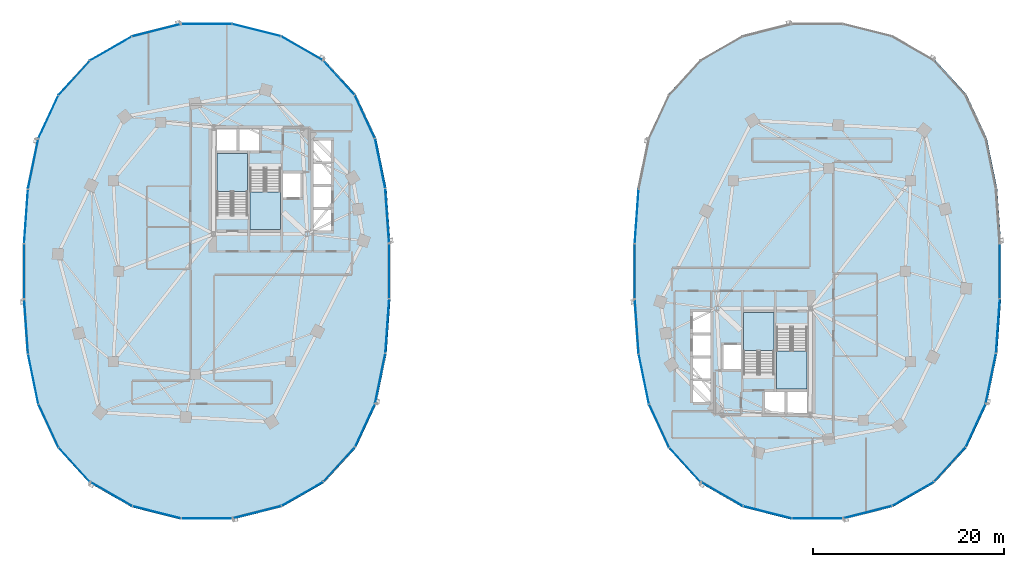
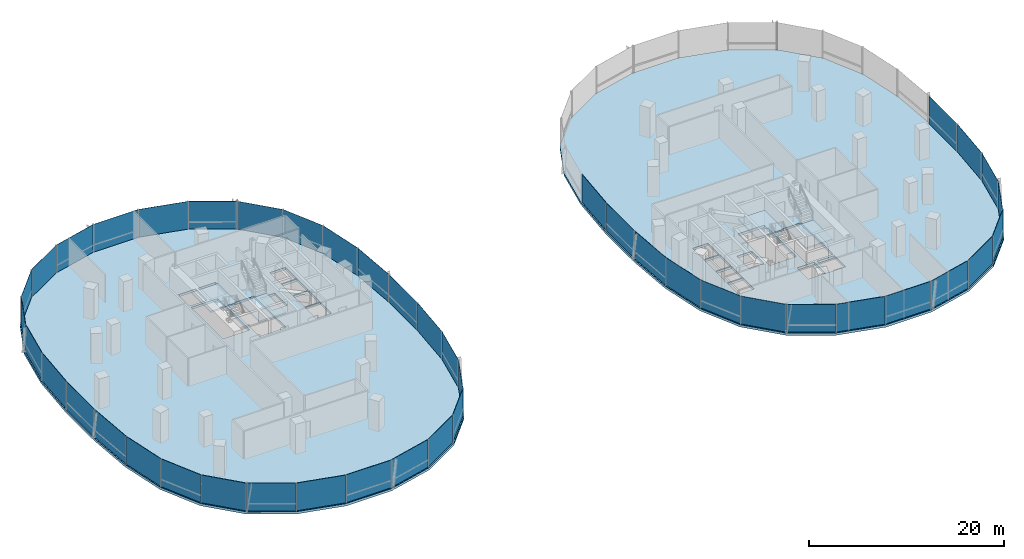
# One storey, part 9 of 21: 44 plates, 6 slabs, 11 elements without a shape of their own.
"""IFC4 building model written with IfcOpenShell, lengths in metres."""

from ifc_helpers import new_model, si_unit, direction, frame, origin, origin_2d, place, context, subcontext, project, spatial, polyline, rectangle, outline, extrude, material, layer, layer_set, type_object, element, aggregate, save


model = new_model("IFC4")

# Units and contexts
model_context = context("Model", 3, precision=1e-05, world=origin(), true_north=direction((0.0, 1.0)))
body_context = subcontext(model_context, "Body", "Model", "MODEL_VIEW")
ifc_project = project(units=[si_unit("LENGTHUNIT", "METRE"), si_unit("AREAUNIT", "SQUARE_METRE"), si_unit("VOLUMEUNIT", "CUBIC_METRE"), si_unit("PLANEANGLEUNIT", "RADIAN"), si_unit("MASSUNIT", "GRAM", prefix="KILO"), si_unit("THERMODYNAMICTEMPERATUREUNIT", "KELVIN"), si_unit("POWERUNIT", "WATT")], contexts=[model_context])

# Site, building, storey
site_placement = place(None, origin())
site = spatial("IfcSite", under=ifc_project, at=site_placement, CompositionType="ELEMENT")
building_placement = place(site_placement, origin())
building = spatial("IfcBuilding", under=site, at=building_placement, Name="Cundina Bronze Exchange", CompositionType="ELEMENT")
storey_placement = place(building_placement, frame((0.0, 0.0, 73.39990234375)))
storey = spatial("IfcBuildingStorey", under=building, at=storey_placement, Name="L18", CompositionType="ELEMENT", Elevation=73.39990234375)

# Curtain wall, plates
ifc_material_1 = material(Name="Anodised Bronze Aluminium 6063-T6", Category="aluminium")
curtain_wall_type = type_object("IfcCurtainWallType", Name="CWS-TRD-LOW", PredefinedType="NOTDEFINED", material=ifc_material_1)
curtain_wall_1_placement = place(storey_placement, origin())
curtain_wall_1 = element("IfcCurtainWall", 1, at=curtain_wall_1_placement, inside=storey, type_object=curtain_wall_type, Name="L18 CW-02 Curtain Wall Run CWR-L18-W1", PredefinedType="NOTDEFINED")
ifc_material_2 = material(Name="Heat-Strengthened Solar-Control Bronze Safety Glass 28mm", Category="glass")
ifc_layer_1 = layer(ifc_material_2, 0.028076171875, Name="Heat-Strengthened Solar-Control Bronze Safety Glass 28mm", Category="glass")
ifc_layer_set_1 = layer_set([ifc_layer_1], Name="Heat-Strengthened Solar-Control Bronze Safety Glass 28mm")
plate_type_1 = type_object("IfcPlateType", Name="PLT-GLZ-VIS28", PredefinedType="CURTAIN_PANEL", material=ifc_layer_set_1)
plate_1_placement = place(storey_placement, frame((-13.0732421875, 5.783935546875, 0.02001953125), z_axis=(0.0, 0.0, 1.0), x_axis=(-0.070278787473, 0.997527389113, 0.0)))
plate_1 = element("IfcPlate", 2, at=plate_1_placement, type_object=plate_type_1, Name="CW-02 Glazed Panel 1", PredefinedType="CURTAIN_PANEL", context=body_context, shape_type="SweptSolid", body=[
    extrude(rectangle(XDim=5.644287109375, YDim=0.028076171875, at=origin_2d()), origin(), (0.0, 0.0, 1.0), 3.47998046875),
])
plate_2_placement = place(storey_placement, frame((-15.413818359375, 16.177734375, 0.02001953125), z_axis=(0.0, 0.0, 1.0), x_axis=(-0.42084583328, 0.907132175932, 0.0)))
plate_2 = element("IfcPlate", 3, at=plate_2_placement, type_object=plate_type_1, Name="CW-02 Glazed Panel 3", PredefinedType="CURTAIN_PANEL", context=body_context, shape_type="SweptSolid", body=[
    extrude(rectangle(XDim=4.966552734375, YDim=0.028076171875, at=origin_2d()), origin(), (0.0, 0.0, 1.0), 3.47998046875),
])
plate_3_placement = place(storey_placement, frame((-18.1259765625, 20.267333984375, 0.02001953125), z_axis=(0.0, 0.0, 1.0), x_axis=(-0.674276610219, 0.73847887777, 0.0)))
plate_3 = element("IfcPlate", 4, at=plate_3_placement, type_object=plate_type_1, Name="CW-02 Glazed Panel 4", PredefinedType="CURTAIN_PANEL", context=body_context, shape_type="SweptSolid", body=[
    extrude(rectangle(XDim=4.86328125, YDim=0.028076171875, at=origin_2d()), origin(), (0.0, 0.0, 1.0), 3.47998046875),
])
plate_4_placement = place(storey_placement, frame((-21.980712890625, 23.34423828125, 0.02001953125), z_axis=(0.0, 0.0, 1.0), x_axis=(-0.867105478933, 0.498124571171, 0.0)))
plate_4 = element("IfcPlate", 5, at=plate_4_placement, type_object=plate_type_1, Name="CW-02 Glazed Panel 5", PredefinedType="CURTAIN_PANEL", context=body_context, shape_type="SweptSolid", body=[
    extrude(rectangle(XDim=5.021240234375, YDim=0.028076171875, at=origin_2d()), origin(), (0.0, 0.0, 1.0), 3.47998046875),
])
plate_5_placement = place(storey_placement, frame((-26.744384765625, 25.256591796875, 0.02001953125), z_axis=(0.0, 0.0, 1.0), x_axis=(-0.969488149345, 0.245138182011, 0.0)))
plate_5 = element("IfcPlate", 6, at=plate_5_placement, type_object=plate_type_1, Name="CW-02 Glazed Panel 6", PredefinedType="CURTAIN_PANEL", context=body_context, shape_type="SweptSolid", body=[
    extrude(rectangle(XDim=5.2333984375, YDim=0.028076171875, at=origin_2d()), origin(), (0.0, 0.0, 1.0), 3.47998046875),
])

curtain_wall_2_placement = place(storey_placement, origin())
curtain_wall_2 = element("IfcCurtainWall", 7, at=curtain_wall_2_placement, inside=storey, type_object=curtain_wall_type, Name="L18 CW-02 Curtain Wall Run CWR-L18-W2", PredefinedType="NOTDEFINED")
plate_6_placement = place(storey_placement, frame((-42.019287109375, 23.34423828125, 0.02001953125), z_axis=(0.0, 0.0, 1.0), x_axis=(-0.867105478933, -0.498124571171, 0.0)))
plate_6 = element("IfcPlate", 8, at=plate_6_placement, type_object=plate_type_1, Name="CW-02 Glazed Panel 2", PredefinedType="CURTAIN_PANEL", context=body_context, shape_type="SweptSolid", body=[
    extrude(rectangle(XDim=5.021240234375, YDim=0.028076171875, at=origin_2d()), origin(), (0.0, 0.0, 1.0), 3.47998046875),
])
plate_7_placement = place(storey_placement, frame((-45.8740234375, 20.267333984375, 0.02001953125), z_axis=(0.0, 0.0, 1.0), x_axis=(-0.674276610219, -0.73847887777, 0.0)))
plate_7 = element("IfcPlate", 9, at=plate_7_placement, type_object=plate_type_1, Name="CW-02 Glazed Panel 3", PredefinedType="CURTAIN_PANEL", context=body_context, shape_type="SweptSolid", body=[
    extrude(rectangle(XDim=4.86328125, YDim=0.028076171875, at=origin_2d()), origin(), (0.0, 0.0, 1.0), 3.47998046875),
])
plate_8_placement = place(storey_placement, frame((-48.586181640625, 16.177734375, 0.02001953125), z_axis=(0.0, 0.0, 1.0), x_axis=(-0.42084583328, -0.907132175932, 0.0)))
plate_8 = element("IfcPlate", 10, at=plate_8_placement, type_object=plate_type_1, Name="CW-02 Glazed Panel 4", PredefinedType="CURTAIN_PANEL", context=body_context, shape_type="SweptSolid", body=[
    extrude(rectangle(XDim=4.966552734375, YDim=0.028076171875, at=origin_2d()), origin(), (0.0, 0.0, 1.0), 3.47998046875),
])
plate_9_placement = place(storey_placement, frame((-50.18408203125, 11.269775390625, 0.02001953125), z_axis=(0.0, 0.0, 1.0), x_axis=(-0.201419845156, -0.979505000486, 0.0)))
plate_9 = element("IfcPlate", 11, at=plate_9_placement, type_object=plate_type_1, Name="CW-02 Glazed Panel 5", PredefinedType="CURTAIN_PANEL", context=body_context, shape_type="SweptSolid", body=[
    extrude(rectangle(XDim=5.306640625, YDim=0.028076171875, at=origin_2d()), origin(), (0.0, 0.0, 1.0), 3.47998046875),
])
plate_10_placement = place(storey_placement, frame((-51.1279296875, 0.0, 0.02001953125), z_axis=(0.0, 0.0, 1.0), x_axis=(0.0, -1.0, 0.0)))
plate_10 = element("IfcPlate", 12, at=plate_10_placement, type_object=plate_type_1, Name="CW-02 Glazed Panel 7", PredefinedType="CURTAIN_PANEL", context=body_context, shape_type="SweptSolid", body=[
    extrude(rectangle(XDim=5.77587890625, YDim=0.028076171875, at=origin_2d()), origin(), (0.0, 0.0, 1.0), 3.47998046875),
])

curtain_wall_3_placement = place(storey_placement, origin())
curtain_wall_3 = element("IfcCurtainWall", 13, at=curtain_wall_3_placement, inside=storey, type_object=curtain_wall_type, Name="L18 CW-02 Curtain Wall Run CWR-L18-W3", PredefinedType="NOTDEFINED")
plate_11_placement = place(storey_placement, frame((-50.9267578125, -5.783935546875, 0.02001953125), z_axis=(0.0, 0.0, 1.0), x_axis=(0.070278787473, -0.997527389113, 0.0)))
plate_11 = element("IfcPlate", 14, at=plate_11_placement, type_object=plate_type_1, Name="CW-02 Glazed Panel 1", PredefinedType="CURTAIN_PANEL", context=body_context, shape_type="SweptSolid", body=[
    extrude(rectangle(XDim=5.644287109375, YDim=0.028076171875, at=origin_2d()), origin(), (0.0, 0.0, 1.0), 3.47998046875),
])
plate_12_placement = place(storey_placement, frame((-50.18408203125, -11.269775390625, 0.02001953125), z_axis=(0.0, 0.0, 1.0), x_axis=(0.201419845156, -0.979505000486, 0.0)))
plate_12 = element("IfcPlate", 15, at=plate_12_placement, type_object=plate_type_1, Name="CW-02 Glazed Panel 2", PredefinedType="CURTAIN_PANEL", context=body_context, shape_type="SweptSolid", body=[
    extrude(rectangle(XDim=5.306640625, YDim=0.028076171875, at=origin_2d()), origin(), (0.0, 0.0, 1.0), 3.47998046875),
])
plate_13_placement = place(storey_placement, frame((-48.586181640625, -16.177734375, 0.02001953125), z_axis=(0.0, 0.0, 1.0), x_axis=(0.42084583328, -0.907132175932, 0.0)))
plate_13 = element("IfcPlate", 16, at=plate_13_placement, type_object=plate_type_1, Name="CW-02 Glazed Panel 3", PredefinedType="CURTAIN_PANEL", context=body_context, shape_type="SweptSolid", body=[
    extrude(rectangle(XDim=4.966552734375, YDim=0.028076171875, at=origin_2d()), origin(), (0.0, 0.0, 1.0), 3.47998046875),
])
plate_14_placement = place(storey_placement, frame((-45.8740234375, -20.267333984375, 0.02001953125), z_axis=(0.0, 0.0, 1.0), x_axis=(0.674276610219, -0.73847887777, 0.0)))
plate_14 = element("IfcPlate", 17, at=plate_14_placement, type_object=plate_type_1, Name="CW-02 Glazed Panel 4", PredefinedType="CURTAIN_PANEL", context=body_context, shape_type="SweptSolid", body=[
    extrude(rectangle(XDim=4.86328125, YDim=0.028076171875, at=origin_2d()), origin(), (0.0, 0.0, 1.0), 3.47998046875),
])
plate_15_placement = place(storey_placement, frame((-37.255615234375, -25.256591796875, 0.02001953125), z_axis=(0.0, 0.0, 1.0), x_axis=(0.969488149345, -0.245138182011, 0.0)))
plate_15 = element("IfcPlate", 18, at=plate_15_placement, type_object=plate_type_1, Name="CW-02 Glazed Panel 6", PredefinedType="CURTAIN_PANEL", context=body_context, shape_type="SweptSolid", body=[
    extrude(rectangle(XDim=5.2333984375, YDim=0.028076171875, at=origin_2d()), origin(), (0.0, 0.0, 1.0), 3.47998046875),
])
plate_16_placement = place(storey_placement, frame((-32.0, -25.905029296875, 0.02001953125), z_axis=(0.0, 0.0, 1.0), x_axis=(1.0, 0.0, 0.0)))
plate_16 = element("IfcPlate", 19, at=plate_16_placement, type_object=plate_type_1, Name="CW-02 Glazed Panel 7", PredefinedType="CURTAIN_PANEL", context=body_context, shape_type="SweptSolid", body=[
    extrude(rectangle(XDim=5.323974609375, YDim=0.028076171875, at=origin_2d()), origin(), (0.0, 0.0, 1.0), 3.47998046875),
])

curtain_wall_4_placement = place(storey_placement, origin())
curtain_wall_4 = element("IfcCurtainWall", 20, at=curtain_wall_4_placement, inside=storey, type_object=curtain_wall_type, Name="L18 CW-02 Curtain Wall Run CWR-L18-W4", PredefinedType="NOTDEFINED")
plate_17_placement = place(storey_placement, frame((-26.744384765625, -25.256591796875, 0.02001953125), z_axis=(0.0, 0.0, 1.0), x_axis=(0.969488149345, 0.245138182011, 0.0)))
plate_17 = element("IfcPlate", 21, at=plate_17_placement, type_object=plate_type_1, Name="CW-02 Glazed Panel 1", PredefinedType="CURTAIN_PANEL", context=body_context, shape_type="SweptSolid", body=[
    extrude(rectangle(XDim=5.2333984375, YDim=0.028076171875, at=origin_2d()), origin(), (0.0, 0.0, 1.0), 3.47998046875),
])
plate_18_placement = place(storey_placement, frame((-21.980712890625, -23.34423828125, 0.02001953125), z_axis=(0.0, 0.0, 1.0), x_axis=(0.867105478933, 0.498124571171, 0.0)))
plate_18 = element("IfcPlate", 22, at=plate_18_placement, type_object=plate_type_1, Name="CW-02 Glazed Panel 2", PredefinedType="CURTAIN_PANEL", context=body_context, shape_type="SweptSolid", body=[
    extrude(rectangle(XDim=5.021240234375, YDim=0.028076171875, at=origin_2d()), origin(), (0.0, 0.0, 1.0), 3.47998046875),
])
plate_19_placement = place(storey_placement, frame((-18.1259765625, -20.267333984375, 0.02001953125), z_axis=(0.0, 0.0, 1.0), x_axis=(0.674276610219, 0.73847887777, 0.0)))
plate_19 = element("IfcPlate", 23, at=plate_19_placement, type_object=plate_type_1, Name="CW-02 Glazed Panel 3", PredefinedType="CURTAIN_PANEL", context=body_context, shape_type="SweptSolid", body=[
    extrude(rectangle(XDim=4.86328125, YDim=0.028076171875, at=origin_2d()), origin(), (0.0, 0.0, 1.0), 3.47998046875),
])
plate_20_placement = place(storey_placement, frame((-13.81591796875, -11.269775390625, 0.02001953125), z_axis=(0.0, 0.0, 1.0), x_axis=(0.201419845156, 0.979505000486, 0.0)))
plate_20 = element("IfcPlate", 24, at=plate_20_placement, type_object=plate_type_1, Name="CW-02 Glazed Panel 5", PredefinedType="CURTAIN_PANEL", context=body_context, shape_type="SweptSolid", body=[
    extrude(rectangle(XDim=5.306640625, YDim=0.028076171875, at=origin_2d()), origin(), (0.0, 0.0, 1.0), 3.47998046875),
])
plate_21_placement = place(storey_placement, frame((-13.0732421875, -5.783935546875, 0.02001953125), z_axis=(0.0, 0.0, 1.0), x_axis=(0.070278787473, 0.997527389113, 0.0)))
plate_21 = element("IfcPlate", 25, at=plate_21_placement, type_object=plate_type_1, Name="CW-02 Glazed Panel 6", PredefinedType="CURTAIN_PANEL", context=body_context, shape_type="SweptSolid", body=[
    extrude(rectangle(XDim=5.644287109375, YDim=0.028076171875, at=origin_2d()), origin(), (0.0, 0.0, 1.0), 3.47998046875),
])
plate_22_placement = place(storey_placement, frame((-12.8720703125, 0.0, 0.02001953125), z_axis=(0.0, 0.0, 1.0), x_axis=(0.0, 1.0, 0.0)))
plate_22 = element("IfcPlate", 26, at=plate_22_placement, type_object=plate_type_1, Name="CW-02 Glazed Panel 7", PredefinedType="CURTAIN_PANEL", context=body_context, shape_type="SweptSolid", body=[
    extrude(rectangle(XDim=5.77587890625, YDim=0.028076171875, at=origin_2d()), origin(), (0.0, 0.0, 1.0), 3.47998046875),
])

# Curtain wall, plate
curtain_wall_5_placement = place(storey_placement, origin())
curtain_wall_5 = element("IfcCurtainWall", 27, at=curtain_wall_5_placement, inside=storey, type_object=curtain_wall_type, Name="L18 CW-02 Curtain Wall Run CWR-L18-E2", PredefinedType="NOTDEFINED")
plate_23_placement = place(storey_placement, frame((12.8720703125, 0.0, 0.02001953125), z_axis=(0.0, 0.0, 1.0), x_axis=(0.0, -1.0, 0.0)))
plate_23 = element("IfcPlate", 28, at=plate_23_placement, type_object=plate_type_1, Name="CW-02 Glazed Panel 7", PredefinedType="CURTAIN_PANEL", context=body_context, shape_type="SweptSolid", body=[
    extrude(rectangle(XDim=5.77587890625, YDim=0.028076171875, at=origin_2d()), origin(), (0.0, 0.0, 1.0), 3.47998046875),
])

# Curtain wall, plates
curtain_wall_6_placement = place(storey_placement, origin())
curtain_wall_6 = element("IfcCurtainWall", 29, at=curtain_wall_6_placement, inside=storey, type_object=curtain_wall_type, Name="L18 CW-02 Curtain Wall Run CWR-L18-E3", PredefinedType="NOTDEFINED")
plate_24_placement = place(storey_placement, frame((13.0732421875, -5.783935546875, 0.02001953125), z_axis=(0.0, 0.0, 1.0), x_axis=(0.070278787473, -0.997527389113, 0.0)))
plate_24 = element("IfcPlate", 30, at=plate_24_placement, type_object=plate_type_1, Name="CW-02 Glazed Panel 1", PredefinedType="CURTAIN_PANEL", context=body_context, shape_type="SweptSolid", body=[
    extrude(rectangle(XDim=5.644287109375, YDim=0.028076171875, at=origin_2d()), origin(), (0.0, 0.0, 1.0), 3.47998046875),
])
plate_25_placement = place(storey_placement, frame((13.81591796875, -11.269775390625, 0.02001953125), z_axis=(0.0, 0.0, 1.0), x_axis=(0.201419845156, -0.979505000486, 0.0)))
plate_25 = element("IfcPlate", 31, at=plate_25_placement, type_object=plate_type_1, Name="CW-02 Glazed Panel 2", PredefinedType="CURTAIN_PANEL", context=body_context, shape_type="SweptSolid", body=[
    extrude(rectangle(XDim=5.306640625, YDim=0.028076171875, at=origin_2d()), origin(), (0.0, 0.0, 1.0), 3.47998046875),
])
plate_26_placement = place(storey_placement, frame((15.413818359375, -16.177734375, 0.02001953125), z_axis=(0.0, 0.0, 1.0), x_axis=(0.42084583328, -0.907132175932, 0.0)))
plate_26 = element("IfcPlate", 32, at=plate_26_placement, type_object=plate_type_1, Name="CW-02 Glazed Panel 3", PredefinedType="CURTAIN_PANEL", context=body_context, shape_type="SweptSolid", body=[
    extrude(rectangle(XDim=4.966552734375, YDim=0.028076171875, at=origin_2d()), origin(), (0.0, 0.0, 1.0), 3.47998046875),
])
plate_27_placement = place(storey_placement, frame((18.1259765625, -20.267333984375, 0.02001953125), z_axis=(0.0, 0.0, 1.0), x_axis=(0.674276610219, -0.73847887777, 0.0)))
plate_27 = element("IfcPlate", 33, at=plate_27_placement, type_object=plate_type_1, Name="CW-02 Glazed Panel 4", PredefinedType="CURTAIN_PANEL", context=body_context, shape_type="SweptSolid", body=[
    extrude(rectangle(XDim=4.86328125, YDim=0.028076171875, at=origin_2d()), origin(), (0.0, 0.0, 1.0), 3.47998046875),
])
plate_28_placement = place(storey_placement, frame((26.744384765625, -25.256591796875, 0.02001953125), z_axis=(0.0, 0.0, 1.0), x_axis=(0.969488149345, -0.245138182011, 0.0)))
plate_28 = element("IfcPlate", 34, at=plate_28_placement, type_object=plate_type_1, Name="CW-02 Glazed Panel 6", PredefinedType="CURTAIN_PANEL", context=body_context, shape_type="SweptSolid", body=[
    extrude(rectangle(XDim=5.2333984375, YDim=0.028076171875, at=origin_2d()), origin(), (0.0, 0.0, 1.0), 3.47998046875),
])
plate_29_placement = place(storey_placement, frame((32.0, -25.905029296875, 0.02001953125), z_axis=(0.0, 0.0, 1.0), x_axis=(1.0, 0.0, 0.0)))
plate_29 = element("IfcPlate", 35, at=plate_29_placement, type_object=plate_type_1, Name="CW-02 Glazed Panel 7", PredefinedType="CURTAIN_PANEL", context=body_context, shape_type="SweptSolid", body=[
    extrude(rectangle(XDim=5.323974609375, YDim=0.028076171875, at=origin_2d()), origin(), (0.0, 0.0, 1.0), 3.47998046875),
])

curtain_wall_7_placement = place(storey_placement, origin())
curtain_wall_7 = element("IfcCurtainWall", 36, at=curtain_wall_7_placement, inside=storey, type_object=curtain_wall_type, Name="L18 CW-02 Curtain Wall Run CWR-L18-E4", PredefinedType="NOTDEFINED")
plate_30_placement = place(storey_placement, frame((37.255615234375, -25.256591796875, 0.02001953125), z_axis=(0.0, 0.0, 1.0), x_axis=(0.969488149345, 0.245138182011, 0.0)))
plate_30 = element("IfcPlate", 37, at=plate_30_placement, type_object=plate_type_1, Name="CW-02 Glazed Panel 1", PredefinedType="CURTAIN_PANEL", context=body_context, shape_type="SweptSolid", body=[
    extrude(rectangle(XDim=5.2333984375, YDim=0.028076171875, at=origin_2d()), origin(), (0.0, 0.0, 1.0), 3.47998046875),
])
plate_31_placement = place(storey_placement, frame((42.019287109375, -23.34423828125, 0.02001953125), z_axis=(0.0, 0.0, 1.0), x_axis=(0.867105478933, 0.498124571171, 0.0)))
plate_31 = element("IfcPlate", 38, at=plate_31_placement, type_object=plate_type_1, Name="CW-02 Glazed Panel 2", PredefinedType="CURTAIN_PANEL", context=body_context, shape_type="SweptSolid", body=[
    extrude(rectangle(XDim=5.021240234375, YDim=0.028076171875, at=origin_2d()), origin(), (0.0, 0.0, 1.0), 3.47998046875),
])
plate_32_placement = place(storey_placement, frame((45.8740234375, -20.267333984375, 0.02001953125), z_axis=(0.0, 0.0, 1.0), x_axis=(0.674276610219, 0.73847887777, 0.0)))
plate_32 = element("IfcPlate", 39, at=plate_32_placement, type_object=plate_type_1, Name="CW-02 Glazed Panel 3", PredefinedType="CURTAIN_PANEL", context=body_context, shape_type="SweptSolid", body=[
    extrude(rectangle(XDim=4.86328125, YDim=0.028076171875, at=origin_2d()), origin(), (0.0, 0.0, 1.0), 3.47998046875),
])
plate_33_placement = place(storey_placement, frame((50.18408203125, -11.269775390625, 0.02001953125), z_axis=(0.0, 0.0, 1.0), x_axis=(0.201419845156, 0.979505000486, 0.0)))
plate_33 = element("IfcPlate", 40, at=plate_33_placement, type_object=plate_type_1, Name="CW-02 Glazed Panel 5", PredefinedType="CURTAIN_PANEL", context=body_context, shape_type="SweptSolid", body=[
    extrude(rectangle(XDim=5.306640625, YDim=0.028076171875, at=origin_2d()), origin(), (0.0, 0.0, 1.0), 3.47998046875),
])
plate_34_placement = place(storey_placement, frame((50.9267578125, -5.783935546875, 0.02001953125), z_axis=(0.0, 0.0, 1.0), x_axis=(0.070278787473, 0.997527389113, 0.0)))
plate_34 = element("IfcPlate", 41, at=plate_34_placement, type_object=plate_type_1, Name="CW-02 Glazed Panel 6", PredefinedType="CURTAIN_PANEL", context=body_context, shape_type="SweptSolid", body=[
    extrude(rectangle(XDim=5.644287109375, YDim=0.028076171875, at=origin_2d()), origin(), (0.0, 0.0, 1.0), 3.47998046875),
])
plate_35_placement = place(storey_placement, frame((51.1279296875, 0.0, 0.02001953125), z_axis=(0.0, 0.0, 1.0), x_axis=(0.0, 1.0, 0.0)))
plate_35 = element("IfcPlate", 42, at=plate_35_placement, type_object=plate_type_1, Name="CW-02 Glazed Panel 7", PredefinedType="CURTAIN_PANEL", context=body_context, shape_type="SweptSolid", body=[
    extrude(rectangle(XDim=5.77587890625, YDim=0.028076171875, at=origin_2d()), origin(), (0.0, 0.0, 1.0), 3.47998046875),
])

# Plate
ifc_material_3 = material(Name="Dark Bronze Spandrel Glass Panel 32mm", Category="glass")
ifc_layer_2 = layer(ifc_material_3, 0.031982421875, Name="Dark Bronze Spandrel Glass Panel 32mm", Category="glass")
ifc_layer_set_2 = layer_set([ifc_layer_2], Name="Dark Bronze Spandrel Glass Panel 32mm")
plate_type_2 = type_object("IfcPlateType", Name="PLT-SPN-BRZ32", PredefinedType="CURTAIN_PANEL", material=ifc_layer_set_2)
plate_36_placement = place(storey_placement, frame((-13.81591796875, 11.269775390625, 0.02001953125), z_axis=(0.0, 0.0, 1.0), x_axis=(-0.201419845156, 0.979505000486, 0.0)))
plate_36 = element("IfcPlate", 43, at=plate_36_placement, type_object=plate_type_2, Name="CW-02 Glazed Panel 2", PredefinedType="CURTAIN_PANEL", context=body_context, shape_type="SweptSolid", body=[
    extrude(rectangle(XDim=5.306640625, YDim=0.031982421875, at=origin_2d()), origin(), (0.0, 0.0, 1.0), 3.47998046875),
])

plate_37_placement = place(storey_placement, frame((-32.0, 25.905029296875, 0.02001953125), z_axis=(0.0, 0.0, 1.0), x_axis=(-1.0, 0.0, 0.0)))
plate_37 = element("IfcPlate", 44, at=plate_37_placement, type_object=plate_type_2, Name="CW-02 Glazed Panel 7", PredefinedType="CURTAIN_PANEL", context=body_context, shape_type="SweptSolid", body=[
    extrude(rectangle(XDim=5.323974609375, YDim=0.031982421875, at=origin_2d()), origin(), (0.0, 0.0, 1.0), 3.47998046875),
])

aggregate(curtain_wall_1, [plate_1, plate_36, plate_2, plate_3, plate_4, plate_5, plate_37])

plate_38_placement = place(storey_placement, frame((-37.255615234375, 25.256591796875, 0.02001953125), z_axis=(0.0, 0.0, 1.0), x_axis=(-0.969488149345, -0.245138182011, 0.0)))
plate_38 = element("IfcPlate", 45, at=plate_38_placement, type_object=plate_type_2, Name="CW-02 Glazed Panel 1", PredefinedType="CURTAIN_PANEL", context=body_context, shape_type="SweptSolid", body=[
    extrude(rectangle(XDim=5.2333984375, YDim=0.031982421875, at=origin_2d()), origin(), (0.0, 0.0, 1.0), 3.47998046875),
])

plate_39_placement = place(storey_placement, frame((-50.9267578125, 5.783935546875, 0.02001953125), z_axis=(0.0, 0.0, 1.0), x_axis=(-0.070278787473, -0.997527389113, 0.0)))
plate_39 = element("IfcPlate", 46, at=plate_39_placement, type_object=plate_type_2, Name="CW-02 Glazed Panel 6", PredefinedType="CURTAIN_PANEL", context=body_context, shape_type="SweptSolid", body=[
    extrude(rectangle(XDim=5.644287109375, YDim=0.031982421875, at=origin_2d()), origin(), (0.0, 0.0, 1.0), 3.47998046875),
])

aggregate(curtain_wall_2, [plate_38, plate_6, plate_7, plate_8, plate_9, plate_39, plate_10])

plate_40_placement = place(storey_placement, frame((-42.019287109375, -23.34423828125, 0.02001953125), z_axis=(0.0, 0.0, 1.0), x_axis=(0.867105478933, -0.498124571171, 0.0)))
plate_40 = element("IfcPlate", 47, at=plate_40_placement, type_object=plate_type_2, Name="CW-02 Glazed Panel 5", PredefinedType="CURTAIN_PANEL", context=body_context, shape_type="SweptSolid", body=[
    extrude(rectangle(XDim=5.021240234375, YDim=0.031982421875, at=origin_2d()), origin(), (0.0, 0.0, 1.0), 3.47998046875),
])

aggregate(curtain_wall_3, [plate_11, plate_12, plate_13, plate_14, plate_40, plate_15, plate_16])

plate_41_placement = place(storey_placement, frame((-15.413818359375, -16.177734375, 0.02001953125), z_axis=(0.0, 0.0, 1.0), x_axis=(0.42084583328, 0.907132175932, 0.0)))
plate_41 = element("IfcPlate", 48, at=plate_41_placement, type_object=plate_type_2, Name="CW-02 Glazed Panel 4", PredefinedType="CURTAIN_PANEL", context=body_context, shape_type="SweptSolid", body=[
    extrude(rectangle(XDim=4.966552734375, YDim=0.031982421875, at=origin_2d()), origin(), (0.0, 0.0, 1.0), 3.47998046875),
])

aggregate(curtain_wall_4, [plate_17, plate_18, plate_19, plate_41, plate_20, plate_21, plate_22])

plate_42_placement = place(storey_placement, frame((13.0732421875, 5.783935546875, 0.02001953125), z_axis=(0.0, 0.0, 1.0), x_axis=(-0.070278787473, -0.997527389113, 0.0)))
plate_42 = element("IfcPlate", 49, at=plate_42_placement, type_object=plate_type_2, Name="CW-02 Glazed Panel 6", PredefinedType="CURTAIN_PANEL", context=body_context, shape_type="SweptSolid", body=[
    extrude(rectangle(XDim=5.644287109375, YDim=0.031982421875, at=origin_2d()), origin(), (0.0, 0.0, 1.0), 3.47998046875),
])

aggregate(curtain_wall_5, [plate_42, plate_23])

plate_43_placement = place(storey_placement, frame((21.980712890625, -23.34423828125, 0.02001953125), z_axis=(0.0, 0.0, 1.0), x_axis=(0.867105478933, -0.498124571171, 0.0)))
plate_43 = element("IfcPlate", 50, at=plate_43_placement, type_object=plate_type_2, Name="CW-02 Glazed Panel 5", PredefinedType="CURTAIN_PANEL", context=body_context, shape_type="SweptSolid", body=[
    extrude(rectangle(XDim=5.021240234375, YDim=0.031982421875, at=origin_2d()), origin(), (0.0, 0.0, 1.0), 3.47998046875),
])

aggregate(curtain_wall_6, [plate_24, plate_25, plate_26, plate_27, plate_43, plate_28, plate_29])

plate_44_placement = place(storey_placement, frame((48.586181640625, -16.177734375, 0.02001953125), z_axis=(0.0, 0.0, 1.0), x_axis=(0.42084583328, 0.907132175932, 0.0)))
plate_44 = element("IfcPlate", 51, at=plate_44_placement, type_object=plate_type_2, Name="CW-02 Glazed Panel 4", PredefinedType="CURTAIN_PANEL", context=body_context, shape_type="SweptSolid", body=[
    extrude(rectangle(XDim=4.966552734375, YDim=0.031982421875, at=origin_2d()), origin(), (0.0, 0.0, 1.0), 3.47998046875),
])

aggregate(curtain_wall_7, [plate_30, plate_31, plate_32, plate_44, plate_33, plate_34, plate_35])

# Stair, slab
ifc_material_4 = material(Name="Concrete C40/50", Category="concrete")
stair_type = type_object("IfcStairType", Name="STR-TRD-380", PredefinedType="HALF_TURN_STAIR", material=ifc_material_4)
stair_1_placement = place(storey_placement, origin())
stair_1 = element("IfcStair", 52, at=stair_1_placement, inside=storey, type_object=stair_type, Name="L18 Smokeproof Exit Stair W1", PredefinedType="HALF_TURN_STAIR")
ifc_layer_3 = layer(ifc_material_4, 0.199951171875, Name="Concrete C40/50", Category="concrete")
ifc_layer_set_3 = layer_set([ifc_layer_3], Name="Concrete C40/50")
slab_type_1 = type_object("IfcSlabType", Name="SLB-LND-200", PredefinedType="LANDING", material=ifc_layer_set_3)
slab_1_placement = place(storey_placement, frame((0.0, 0.0, 1.7001953125)))
slab_1 = element("IfcSlab", 53, at=slab_1_placement, type_object=slab_type_1, Name="ST-W1 landing 1", PredefinedType="LANDING", context=body_context, shape_type="SweptSolid", body=[
    extrude(outline(polyline([(-27.739990234375, 8.3701171875), (-27.739990234375, 12.35009765625), (-30.89990234375, 12.35009765625), (-30.89990234375, 8.3701171875), (-27.739990234375, 8.3701171875)])), origin(), (0.0, 0.0, 1.0), 0.199951171875),
])
aggregate(stair_1, [slab_1])

stair_2_placement = place(storey_placement, origin())
stair_2 = element("IfcStair", 54, at=stair_2_placement, inside=storey, type_object=stair_type, Name="L18 Smokeproof Exit Stair W2", PredefinedType="HALF_TURN_STAIR")
slab_2_placement = place(storey_placement, frame((0.0, 0.0, 1.7001953125)))
slab_2 = element("IfcSlab", 55, at=slab_2_placement, type_object=slab_type_1, Name="ST-W2 landing 1", PredefinedType="LANDING", context=body_context, shape_type="SweptSolid", body=[
    extrude(outline(polyline([(-27.43994140625, 8.330078125), (-27.43994140625, 4.35009765625), (-24.280029296875, 4.35009765625), (-24.280029296875, 8.330078125), (-27.43994140625, 8.330078125)])), origin(), (0.0, 0.0, 1.0), 0.199951171875),
])
aggregate(stair_2, [slab_2])

stair_3_placement = place(storey_placement, origin())
stair_3 = element("IfcStair", 56, at=stair_3_placement, inside=storey, type_object=stair_type, Name="L18 Smokeproof Exit Stair E1", PredefinedType="HALF_TURN_STAIR")
slab_3_placement = place(storey_placement, frame((0.0, 0.0, 1.7001953125)))
slab_3 = element("IfcSlab", 57, at=slab_3_placement, type_object=slab_type_1, Name="ST-E1 landing 1", PredefinedType="LANDING", context=body_context, shape_type="SweptSolid", body=[
    extrude(outline(polyline([(27.739990234375, -8.3701171875), (27.739990234375, -12.35009765625), (30.89990234375, -12.35009765625), (30.89990234375, -8.3701171875), (27.739990234375, -8.3701171875)])), origin(), (0.0, 0.0, 1.0), 0.199951171875),
])
aggregate(stair_3, [slab_3])

stair_4_placement = place(storey_placement, origin())
stair_4 = element("IfcStair", 58, at=stair_4_placement, inside=storey, type_object=stair_type, Name="L18 Smokeproof Exit Stair E2", PredefinedType="HALF_TURN_STAIR")
slab_4_placement = place(storey_placement, frame((0.0, 0.0, 1.7001953125)))
slab_4 = element("IfcSlab", 59, at=slab_4_placement, type_object=slab_type_1, Name="ST-E2 landing 1", PredefinedType="LANDING", context=body_context, shape_type="SweptSolid", body=[
    extrude(outline(polyline([(27.43994140625, -8.330078125), (27.43994140625, -4.35009765625), (24.280029296875, -4.35009765625), (24.280029296875, -8.330078125), (27.43994140625, -8.330078125)])), origin(), (0.0, 0.0, 1.0), 0.199951171875),
])
aggregate(stair_4, [slab_4])

# Slabs
ifc_material_5 = material(Name="Concrete C50/60", Category="concrete")
ifc_layer_4 = layer(ifc_material_5, 0.300048828125, Name="Concrete C50/60", Category="concrete")
ifc_layer_set_4 = layer_set([ifc_layer_4], Name="Concrete C50/60")
slab_type_2 = type_object("IfcSlabType", Name="SLB-TRD-300", PredefinedType="FLOOR", material=ifc_layer_set_4)
slab_5_placement = place(storey_placement, frame((0.0, 0.0, -0.2998046875)))
element("IfcSlab", 60, at=slab_5_placement, inside=storey, type_object=slab_type_2, Name="L18 Leg W Structural Floor Slab", PredefinedType="FLOOR", context=body_context, shape_type="SweptSolid", body=[
    extrude(outline(polyline([(-12.741943359375, 2.93310546875), (-13.14501953125, 8.653076171875), (-14.23193359375, 13.93896484375), (-16.360107421875, 18.52587890625), (-19.699951171875, 22.18408203125), (-24.132080078125, 24.72998046875), (-29.29296875, 26.034912109375), (-34.70703125, 26.034912109375), (-39.867919921875, 24.72998046875), (-44.300048828125, 22.18408203125), (-47.639892578125, 18.52587890625), (-49.76806640625, 13.93896484375), (-50.85498046875, 8.653076171875), (-51.258056640625, 2.93310546875), (-51.258056640625, -2.93310546875), (-50.85498046875, -8.653076171875), (-49.76806640625, -13.93896484375), (-47.639892578125, -18.52587890625), (-44.300048828125, -22.18408203125), (-39.867919921875, -24.72998046875), (-34.70703125, -26.034912109375), (-29.29296875, -26.034912109375), (-24.132080078125, -24.72998046875), (-19.699951171875, -22.18408203125), (-16.360107421875, -18.52587890625), (-14.23193359375, -13.93896484375), (-13.14501953125, -8.653076171875), (-12.741943359375, -2.93310546875), (-12.741943359375, 2.93310546875)]), holes=[polyline([(-27.739990234375, 5.85009765625), (-27.739990234375, 12.35009765625), (-30.89990234375, 12.35009765625), (-30.89990234375, 5.85009765625), (-27.739990234375, 5.85009765625)]), polyline([(-27.43994140625, 10.85009765625), (-27.43994140625, 4.35009765625), (-24.280029296875, 4.35009765625), (-24.280029296875, 10.85009765625), (-27.43994140625, 10.85009765625)]), polyline([(-23.97998046875, 10.25), (-22.179931640625, 10.25), (-22.179931640625, 7.75), (-23.97998046875, 7.75), (-23.97998046875, 10.25)]), polyline([(-30.89990234375, 14.949951171875), (-28.85009765625, 14.949951171875), (-28.85009765625, 12.64990234375), (-30.89990234375, 12.64990234375), (-30.89990234375, 14.949951171875)]), polyline([(-28.550048828125, 14.949951171875), (-26.5, 14.949951171875), (-26.5, 12.64990234375), (-28.550048828125, 12.64990234375), (-28.550048828125, 14.949951171875)]), polyline([(-20.800048828125, 13.699951171875), (-18.949951171875, 13.699951171875), (-18.949951171875, 11.449951171875), (-20.800048828125, 11.449951171875), (-20.800048828125, 13.699951171875)]), polyline([(-20.800048828125, 11.300048828125), (-18.949951171875, 11.300048828125), (-18.949951171875, 9.050048828125), (-20.800048828125, 9.050048828125), (-20.800048828125, 11.300048828125)]), polyline([(-20.800048828125, 8.89990234375), (-18.949951171875, 8.89990234375), (-18.949951171875, 6.64990234375), (-20.800048828125, 6.64990234375), (-20.800048828125, 8.89990234375)]), polyline([(-20.800048828125, 6.5), (-18.949951171875, 6.5), (-18.949951171875, 4.25), (-20.800048828125, 4.25), (-20.800048828125, 6.5)])]), origin(), (0.0, 0.0, 1.0), 0.2998046875),
])
slab_6_placement = place(storey_placement, frame((0.0, 0.0, -0.2998046875)))
element("IfcSlab", 61, at=slab_6_placement, inside=storey, type_object=slab_type_2, Name="L18 Leg E Structural Floor Slab", PredefinedType="FLOOR", context=body_context, shape_type="SweptSolid", body=[
    extrude(outline(polyline([(51.258056640625, 2.93310546875), (50.85498046875, 8.653076171875), (49.76806640625, 13.93896484375), (47.639892578125, 18.52587890625), (44.300048828125, 22.18408203125), (39.867919921875, 24.72998046875), (34.70703125, 26.034912109375), (29.29296875, 26.034912109375), (24.132080078125, 24.72998046875), (19.699951171875, 22.18408203125), (16.360107421875, 18.52587890625), (14.23193359375, 13.93896484375), (13.14501953125, 8.653076171875), (12.741943359375, 2.93310546875), (12.741943359375, -2.93310546875), (13.14501953125, -8.653076171875), (14.23193359375, -13.93896484375), (16.360107421875, -18.52587890625), (19.699951171875, -22.18408203125), (24.132080078125, -24.72998046875), (29.29296875, -26.034912109375), (34.70703125, -26.034912109375), (39.867919921875, -24.72998046875), (44.300048828125, -22.18408203125), (47.639892578125, -18.52587890625), (49.76806640625, -13.93896484375), (50.85498046875, -8.653076171875), (51.258056640625, -2.93310546875), (51.258056640625, 2.93310546875)]), holes=[polyline([(27.739990234375, -5.85009765625), (27.739990234375, -12.35009765625), (30.89990234375, -12.35009765625), (30.89990234375, -5.85009765625), (27.739990234375, -5.85009765625)]), polyline([(27.43994140625, -10.85009765625), (27.43994140625, -4.35009765625), (24.280029296875, -4.35009765625), (24.280029296875, -10.85009765625), (27.43994140625, -10.85009765625)]), polyline([(22.179931640625, -7.75), (23.97998046875, -7.75), (23.97998046875, -10.25), (22.179931640625, -10.25), (22.179931640625, -7.75)]), polyline([(28.85009765625, -12.64990234375), (30.89990234375, -12.64990234375), (30.89990234375, -14.949951171875), (28.85009765625, -14.949951171875), (28.85009765625, -12.64990234375)]), polyline([(26.5, -12.64990234375), (28.550048828125, -12.64990234375), (28.550048828125, -14.949951171875), (26.5, -14.949951171875), (26.5, -12.64990234375)]), polyline([(18.949951171875, -11.449951171875), (20.800048828125, -11.449951171875), (20.800048828125, -13.699951171875), (18.949951171875, -13.699951171875), (18.949951171875, -11.449951171875)]), polyline([(18.949951171875, -9.050048828125), (20.800048828125, -9.050048828125), (20.800048828125, -11.300048828125), (18.949951171875, -11.300048828125), (18.949951171875, -9.050048828125)]), polyline([(18.949951171875, -6.64990234375), (20.800048828125, -6.64990234375), (20.800048828125, -8.89990234375), (18.949951171875, -8.89990234375), (18.949951171875, -6.64990234375)]), polyline([(18.949951171875, -4.25), (20.800048828125, -4.25), (20.800048828125, -6.5), (18.949951171875, -6.5), (18.949951171875, -4.25)])]), origin(), (0.0, 0.0, 1.0), 0.2998046875),
])

save(model, "model.ifc")
